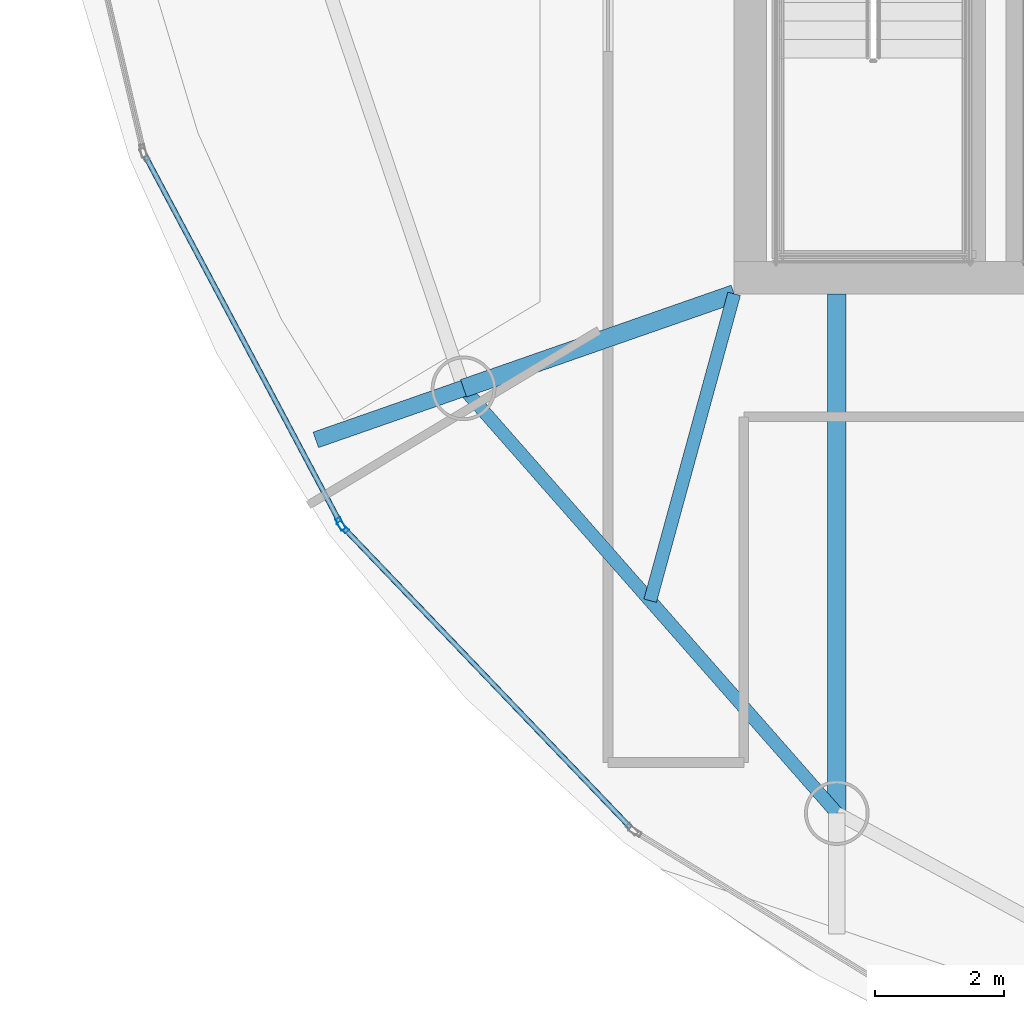
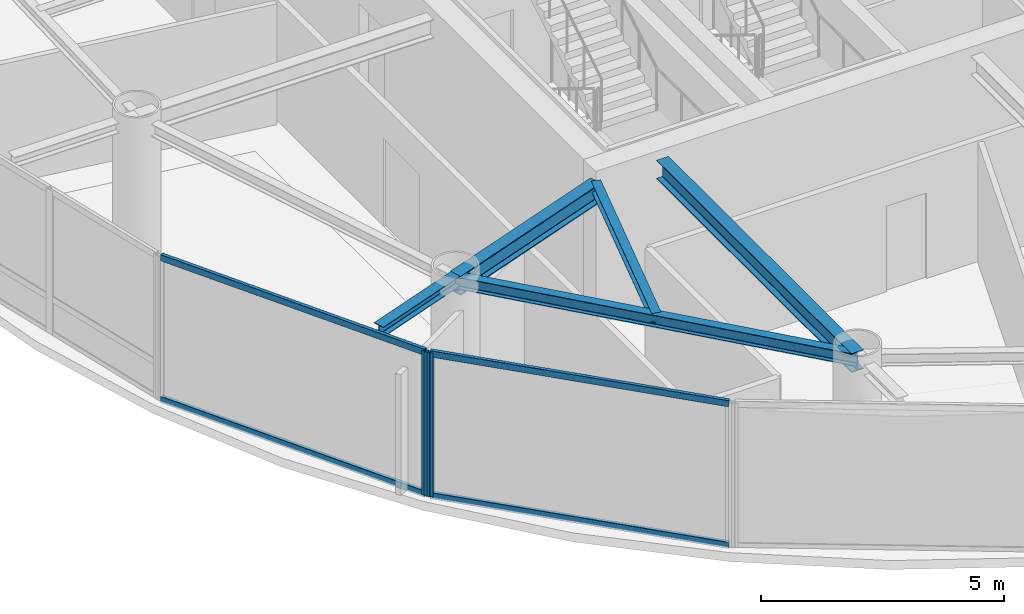
# One storey, part 3 of 21: 6 members, 5 beams, 2 elements without a shape of their own.
"""IFC4 building model written with IfcOpenShell, lengths in metres."""

from ifc_helpers import new_model, si_unit, direction, frame, origin, origin_2d, place, context, subcontext, project, spatial, hollow_rectangle, i_section, extrude, material, layer, layer_set, material_profile, profile_set, type_object, element, aggregate, save


model = new_model("IFC4")

# Units and contexts
model_context = context("Model", 3, precision=1e-05, world=origin(), true_north=direction((0.0, 1.0)))
body_context = subcontext(model_context, "Body", "Model", "MODEL_VIEW")
ifc_project = project(units=[si_unit("LENGTHUNIT", "METRE"), si_unit("AREAUNIT", "SQUARE_METRE"), si_unit("VOLUMEUNIT", "CUBIC_METRE"), si_unit("PLANEANGLEUNIT", "RADIAN"), si_unit("MASSUNIT", "GRAM", prefix="KILO")], contexts=[model_context])

# Site, building, storey
site_placement = place(None, origin())
site = spatial("IfcSite", under=ifc_project, at=site_placement, CompositionType="ELEMENT")
building_placement = place(site_placement, origin())
building = spatial("IfcBuilding", under=site, at=building_placement, Name="Bramvorn Convention Spire", CompositionType="ELEMENT")
storey_placement = place(building_placement, frame((0.0, 0.0, 249.75)))
storey = spatial("IfcBuildingStorey", under=building, at=storey_placement, Name="L63", CompositionType="ELEMENT", Elevation=249.75)

# Beams
ifc_material_1 = material(Name="Steel CSA G40.21 Grade 350 (350W)", Category="steel")
ifc_material_profile_1 = material_profile(ifc_material_1, i_section(OverallWidth=0.201904296875, OverallDepth=0.2470703125, WebThickness=0.00732421875, FlangeThickness=0.010986328125, FilletRadius=0.011962890625, at=origin_2d()))
ifc_profile_set_1 = profile_set([ifc_material_profile_1], Name="Steel CSA G40.21 Grade 350 (350W) - W250X49")
beam_type_1 = type_object("IfcBeamType", Name="BM-W250X49", PredefinedType="JOIST", material=ifc_profile_set_1)
beam_1_placement = place(storey_placement, frame((26.75, 18.550048828125, 3.50146484375), z_axis=(-0.26386506219, -0.96455960363, 0.0), x_axis=(0.96455960363, -0.26386506219, 0.0)))
element("IfcBeam", 1, at=beam_1_placement, inside=storey, type_object=beam_type_1, Name="L63 composite floor joist 13", PredefinedType="JOIST", context=body_context, shape_type="SweptSolid", body=[
    extrude(i_section(OverallWidth=0.201904296875, OverallDepth=0.2470703125, WebThickness=0.00732421875, FlangeThickness=0.010986328125, FilletRadius=0.011962890625, at=origin_2d()), origin(), (0.0, 0.0, 1.0), 4.917724609375),
])
ifc_material_profile_2 = material_profile(ifc_material_1, i_section(OverallWidth=0.25390625, OverallDepth=0.2529296875, WebThickness=0.008544921875, FlangeThickness=0.01416015625, FilletRadius=0.011962890625, at=origin_2d()))
ifc_profile_set_2 = profile_set([ifc_material_profile_2], Name="Steel CSA G40.21 Grade 350 (350W) - W250X73")
beam_type_2 = type_object("IfcBeamType", Name="BM-W250X73", PredefinedType="BEAM", material=ifc_profile_set_2)
beam_2_placement = place(storey_placement, frame((22.5673828125, 17.090087890625, 3.49853515625), z_axis=(-0.944108197522, -0.329635725265, 0.0), x_axis=(0.329635725265, -0.944108197522, 0.0)))
element("IfcBeam", 2, at=beam_2_placement, inside=storey, type_object=beam_type_2, Name="L63 slab-edge cantilever tip beam MC13", PredefinedType="BEAM", context=body_context, shape_type="SweptSolid", body=[
    extrude(i_section(OverallWidth=0.25390625, OverallDepth=0.2529296875, WebThickness=0.008544921875, FlangeThickness=0.01416015625, FilletRadius=0.011962890625, at=origin_2d()), origin(), (0.0, 0.0, 1.0), 2.419677734375),
])
ifc_material_profile_3 = material_profile(ifc_material_1, i_section(OverallWidth=0.202880859375, OverallDepth=0.302978515625, WebThickness=0.007568359375, FlangeThickness=0.01318359375, FilletRadius=0.013916015625, at=origin_2d()))
ifc_profile_set_3 = profile_set([ifc_material_profile_3], Name="Steel CSA G40.21 Grade 350 (350W) - W310X60")
beam_type_3 = type_object("IfcBeamType", Name="BM-W310X60", PredefinedType="JOIST", material=ifc_profile_set_3)
beam_3_placement = place(storey_placement, frame((22.5673828125, 17.090087890625, 3.473388671875), z_axis=(0.660073062339, -0.751201405999, 0.0), x_axis=(0.751201405999, 0.660073062339, 0.0)))
element("IfcBeam", 3, at=beam_3_placement, inside=storey, type_object=beam_type_3, Name="L63 mega-column ring beam 13", PredefinedType="JOIST", context=body_context, shape_type="SweptSolid", body=[
    extrude(i_section(OverallWidth=0.202880859375, OverallDepth=0.302978515625, WebThickness=0.007568359375, FlangeThickness=0.01318359375, FilletRadius=0.013916015625, at=origin_2d()), origin(), (0.0, 0.0, 1.0), 8.741943359375),
])
ifc_material_profile_4 = material_profile(ifc_material_1, i_section(OverallWidth=0.283935546875, OverallDepth=0.47607421875, WebThickness=0.014892578125, FlangeThickness=0.02392578125, FilletRadius=0.01806640625, at=origin_2d()))
ifc_profile_set_4 = profile_set([ifc_material_profile_4], Name="Steel CSA G40.21 Grade 350 (350W) - W460X158")
beam_type_4 = type_object("IfcBeamType", Name="BM-W460X158", PredefinedType="SPANDREL", material=ifc_profile_set_4)
beam_4_placement = place(storey_placement, frame((26.75, 18.550048828125, 3.386962890625), z_axis=(-0.944136391877, -0.329554962843, 0.0), x_axis=(0.329554962843, -0.944136391877, 0.0)))
element("IfcBeam", 4, at=beam_4_placement, inside=storey, type_object=beam_type_4, Name="L63 radial floor girder MC13", PredefinedType="SPANDREL", context=body_context, shape_type="SweptSolid", body=[
    extrude(i_section(OverallWidth=0.283935546875, OverallDepth=0.47607421875, WebThickness=0.014892578125, FlangeThickness=0.02392578125, FilletRadius=0.01806640625, at=origin_2d()), origin(), (0.0, 0.0, 1.0), 4.43017578125),
])
beam_5_placement = place(storey_placement, frame((28.337646484375, 18.550048828125, 3.386962890625), z_axis=(0.0, -1.0, 0.0), x_axis=(1.0, 0.0, 0.0)))
element("IfcBeam", 5, at=beam_5_placement, inside=storey, type_object=beam_type_4, Name="L63 radial floor girder MC14", PredefinedType="SPANDREL", context=body_context, shape_type="SweptSolid", body=[
    extrude(i_section(OverallWidth=0.283935546875, OverallDepth=0.47607421875, WebThickness=0.014892578125, FlangeThickness=0.02392578125, FilletRadius=0.01806640625, at=origin_2d()), origin(), (0.0, 0.0, 1.0), 8.02685546875),
])

# Curtain wall, member
ifc_material_2 = material(Name="Anodised Bronze Unitised Curtain Wall", Category="aluminium")
ifc_layer = layer(ifc_material_2, 0.179931640625)
ifc_layer_set = layer_set([ifc_layer], Name="Anodised Bronze Unitised Curtain Wall - CW-OFF-FRIT")
curtain_wall_type = type_object("IfcCurtainWallType", Name="CW-OFF-FRIT", PredefinedType="USERDEFINED", material=ifc_layer_set)
curtain_wall_1_placement = place(storey_placement, origin())
curtain_wall_1 = element("IfcCurtainWall", 6, at=curtain_wall_1_placement, inside=storey, type_object=curtain_wall_type, Name="L63 fritted glass curtain wall 18", ObjectType="UNITISED CURTAIN WALL", PredefinedType="USERDEFINED")
ifc_material_3 = material(Name="Anodised Bronze Aluminium 6063-T6", Category="aluminium")
ifc_material_profile_5 = material_profile(ifc_material_3, hollow_rectangle(XDim=0.080078125, YDim=0.199951171875, WallThickness=0.00390625, InnerFilletRadius=0.0009765625, OuterFilletRadius=0.00390625, at=origin_2d()))
ifc_profile_set_5 = profile_set([ifc_material_profile_5], Name="Anodised Bronze Aluminium 6063-T6 - CWM80X200")
member_type_1 = type_object("IfcMemberType", Name="CW-MUL-180", PredefinedType="MULLION", material=ifc_profile_set_5)
member_1_placement = place(storey_placement, frame((20.668212890625, 14.993896484375, 0.0), z_axis=(0.0, 0.0, 1.0), x_axis=(-0.883201003682, -0.468994655721, 0.0)))
member_1 = element("IfcMember", 7, at=member_1_placement, type_object=member_type_1, Name="CW3 mullion 1", PredefinedType="MULLION", context=body_context, shape_type="SweptSolid", body=[
    extrude(hollow_rectangle(XDim=0.080078125, YDim=0.199951171875, WallThickness=0.00390625, InnerFilletRadius=0.0009765625, OuterFilletRadius=0.00390625, at=origin_2d()), origin(), (0.0, 0.0, 1.0), 3.625),
])

curtain_wall_2_placement = place(storey_placement, origin())
curtain_wall_2 = element("IfcCurtainWall", 8, at=curtain_wall_2_placement, inside=storey, type_object=curtain_wall_type, Name="L63 fritted glass curtain wall 19", ObjectType="UNITISED CURTAIN WALL", PredefinedType="USERDEFINED")
member_2_placement = place(storey_placement, frame((20.702880859375, 14.94580078125, 0.0), z_axis=(0.0, 0.0, 1.0), x_axis=(-0.722598932793, -0.69126751864, 0.0)))
member_2 = element("IfcMember", 9, at=member_2_placement, type_object=member_type_1, Name="CW3 mullion 2", PredefinedType="MULLION", context=body_context, shape_type="SweptSolid", body=[
    extrude(hollow_rectangle(XDim=0.080078125, YDim=0.199951171875, WallThickness=0.00390625, InnerFilletRadius=0.0009765625, OuterFilletRadius=0.00390625, at=origin_2d()), origin(), (0.0, 0.0, 1.0), 3.625),
])

# Member
ifc_material_profile_6 = material_profile(ifc_material_3, hollow_rectangle(XDim=0.080078125, YDim=0.159912109375, WallThickness=0.00390625, InnerFilletRadius=0.0009765625, OuterFilletRadius=0.00390625, at=origin_2d()))
ifc_profile_set_6 = profile_set([ifc_material_profile_6], Name="Anodised Bronze Aluminium 6063-T6 - CWT80X160")
member_type_2 = type_object("IfcMemberType", Name="CW-TRN-150", PredefinedType="USERDEFINED", material=ifc_profile_set_6)
member_3_placement = place(storey_placement, frame((20.654052734375, 15.0205078125, 0.030029296875), z_axis=(-0.468997342118, 0.883199577155, 0.0), x_axis=(-0.883199577155, -0.468997342118, 0.0)))
member_3 = element("IfcMember", 10, at=member_3_placement, type_object=member_type_2, Name="CW3 transom 1.1", ObjectType="TRANSOM", PredefinedType="USERDEFINED", context=body_context, shape_type="SweptSolid", body=[
    extrude(hollow_rectangle(XDim=0.080078125, YDim=0.159912109375, WallThickness=0.00390625, InnerFilletRadius=0.0009765625, OuterFilletRadius=0.00390625, at=origin_2d()), origin(), (0.0, 0.0, 1.0), 6.406982421875),
])

member_4_placement = place(storey_placement, frame((20.654052734375, 15.0205078125, 3.594970703125), z_axis=(-0.468997342118, 0.883199577155, 0.0), x_axis=(-0.883199577155, -0.468997342118, 0.0)))
member_4 = element("IfcMember", 11, at=member_4_placement, type_object=member_type_2, Name="CW3 transom 1.2", ObjectType="TRANSOM", PredefinedType="USERDEFINED", context=body_context, shape_type="SweptSolid", body=[
    extrude(hollow_rectangle(XDim=0.080078125, YDim=0.159912109375, WallThickness=0.00390625, InnerFilletRadius=0.0009765625, OuterFilletRadius=0.00390625, at=origin_2d()), origin(), (0.0, 0.0, 1.0), 6.406982421875),
])

aggregate(curtain_wall_1, [member_1, member_3, member_4])

member_5_placement = place(storey_placement, frame((25.152587890625, 10.29443359375, 0.030029296875), z_axis=(-0.691271959577, 0.722594684386, 0.0), x_axis=(-0.722594684386, -0.691271959577, 0.0)))
member_5 = element("IfcMember", 12, at=member_5_placement, type_object=member_type_2, Name="CW3 transom 1.1", ObjectType="TRANSOM", PredefinedType="USERDEFINED", context=body_context, shape_type="SweptSolid", body=[
    extrude(hollow_rectangle(XDim=0.080078125, YDim=0.159912109375, WallThickness=0.00390625, InnerFilletRadius=0.0009765625, OuterFilletRadius=0.00390625, at=origin_2d()), origin(), (0.0, 0.0, 1.0), 6.406982421875),
])

member_6_placement = place(storey_placement, frame((25.152587890625, 10.29443359375, 3.594970703125), z_axis=(-0.691271959577, 0.722594684386, 0.0), x_axis=(-0.722594684386, -0.691271959577, 0.0)))
member_6 = element("IfcMember", 13, at=member_6_placement, type_object=member_type_2, Name="CW3 transom 1.2", ObjectType="TRANSOM", PredefinedType="USERDEFINED", context=body_context, shape_type="SweptSolid", body=[
    extrude(hollow_rectangle(XDim=0.080078125, YDim=0.159912109375, WallThickness=0.00390625, InnerFilletRadius=0.0009765625, OuterFilletRadius=0.00390625, at=origin_2d()), origin(), (0.0, 0.0, 1.0), 6.406982421875),
])

aggregate(curtain_wall_2, [member_2, member_5, member_6])

save(model, "model.ifc")
